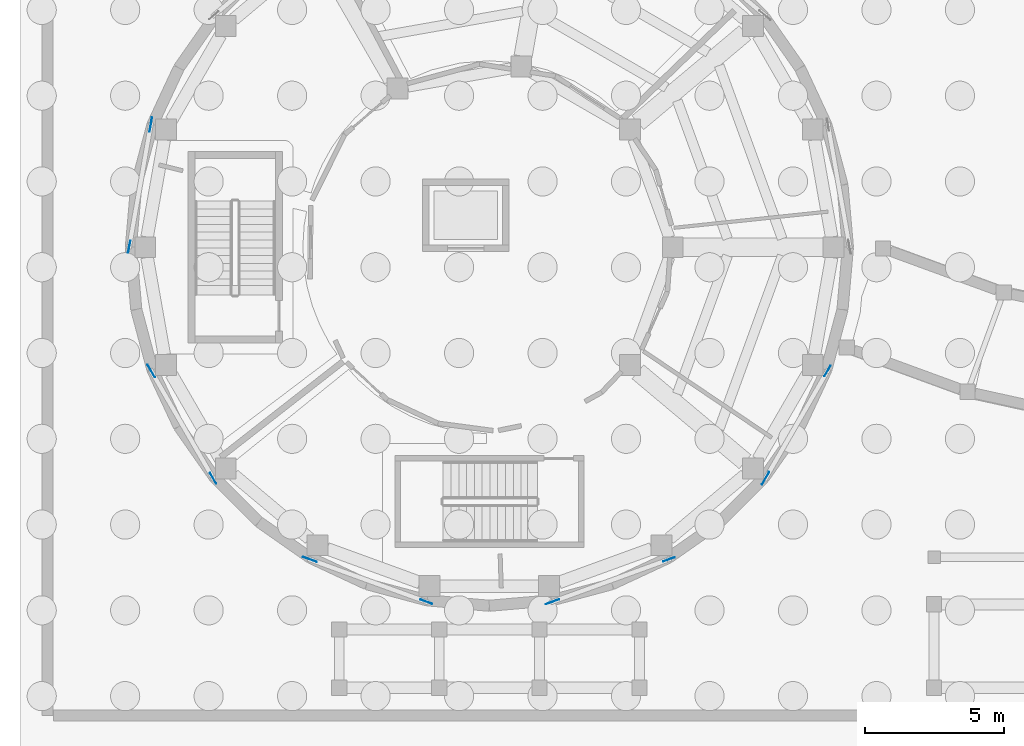
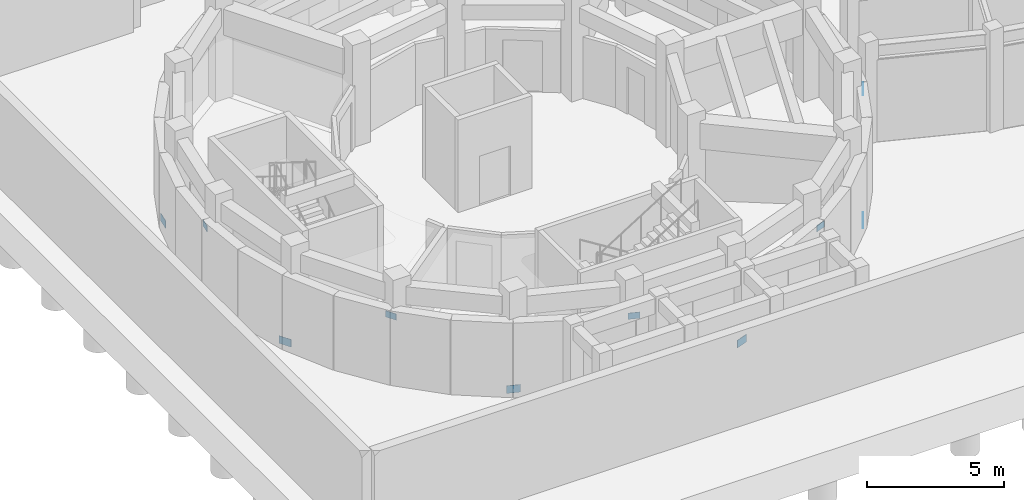
# One storey, part 23 of 57: 10 plates.
"""IFC4 building model written with IfcOpenShell, lengths in metres."""

import ifcopenshell
import ifcopenshell.guid

model = None  # the IFC model being written
_history = None  # IfcOwnerHistory: only IFC2X3 demands one
_inside = {}  # id of a spatial element -> (the spatial element, [elements in it])
_under = {}  # id of a project, library or spatial element -> (it, [spatial elements below it])
_declared = {}  # id of a project -> (the project, [libraries it declares])
_typed = {}  # id of a type object -> (the type object, [elements of that type])
_made_of = {}  # id of a material, layer set ... -> (it, [elements and type objects made of it])


def new_model(schema):
    """Start an empty IFC model of exactly this schema.

    Asked for "IFC4X3", IfcOpenShell would pick the latest addendum, in which some entities
    have other attributes; the version numbers below select the first issue.
    IFC2X3 requires an IfcOwnerHistory on every rooted entity: one is made here for all.
    """
    global model, _history
    if schema == "IFC4X3":
        model = ifcopenshell.file(schema_version=(4, 3, 0, 0))
    else:
        model = ifcopenshell.file(schema=schema)
    _inside.clear()
    _under.clear()
    _declared.clear()
    _typed.clear()
    _made_of.clear()
    _history = None
    if model.schema == "IFC2X3":
        org = make("IfcOrganization", Name="unknown")
        user = make(
            "IfcPersonAndOrganization",
            ThePerson=make("IfcPerson", FamilyName="unknown"),
            TheOrganization=org,
        )
        app = make(
            "IfcApplication",
            ApplicationDeveloper=org,
            Version="unknown",
            ApplicationFullName="unknown",
            ApplicationIdentifier="unknown",
        )
        _history = make(
            "IfcOwnerHistory",
            OwningUser=user,
            OwningApplication=app,
            ChangeAction="ADDED",
            CreationDate=0,
        )
    return model


def make(cls, **values):
    """One entity of the class cls with the attributes given. An attribute that is None is left unset."""
    return model.create_entity(
        cls, **{name: value for name, value in values.items() if value is not None}
    )


def rooted(cls, **values):
    """An entity with a GlobalId (a new one), such as an element, a storey or a relation."""
    return make(cls, GlobalId=ifcopenshell.guid.new(), OwnerHistory=_history, **values)


def si_unit(unit_type, name, prefix=None):
    """IfcSIUnit, for example si_unit("LENGTHUNIT", "METRE", prefix="MILLI")."""
    return make("IfcSIUnit", UnitType=unit_type, Prefix=prefix, Name=name)


def assignment(units):
    """IfcUnitAssignment: the units of a project."""
    return None if units is None else make("IfcUnitAssignment", Units=units)


def point(xyz):
    """IfcCartesianPoint."""
    return None if xyz is None else make("IfcCartesianPoint", Coordinates=xyz)


def direction(xyz):
    """IfcDirection."""
    return None if xyz is None else make("IfcDirection", DirectionRatios=xyz)


def frame(location, z_axis=None, x_axis=None):
    """IfcAxis2Placement3D, a coordinate frame: its origin and axes. An axis left out is left unset."""
    return make(
        "IfcAxis2Placement3D",
        Location=point(location),
        Axis=direction(z_axis),
        RefDirection=direction(x_axis),
    )


def frame_2d(location, x_axis=None):
    """IfcAxis2Placement2D, a coordinate frame in the plane: its origin and x axis."""
    return make(
        "IfcAxis2Placement2D", Location=point(location), RefDirection=direction(x_axis)
    )


def origin():
    """The frame at (0, 0, 0) with its axes left unset."""
    return frame((0.0, 0.0, 0.0))


def origin_2d():
    """The frame at (0, 0) in the plane with its x axis left unset."""
    return frame_2d((0.0, 0.0))


def place(relative_to, where):
    """IfcLocalPlacement: puts the frame where relative to a parent placement (None: the world)."""
    return make(
        "IfcLocalPlacement", PlacementRelTo=relative_to, RelativePlacement=where
    )


def context(
    kind, dimensions, precision=None, world=None, true_north=None, identifier=None
):
    """IfcGeometricRepresentationContext, for example the 3D "Model" context."""
    return make(
        "IfcGeometricRepresentationContext",
        ContextIdentifier=identifier,
        ContextType=kind,
        CoordinateSpaceDimension=dimensions,
        Precision=precision,
        WorldCoordinateSystem=world,
        TrueNorth=true_north,
    )


def subcontext(parent, identifier, kind, view, scale=None):
    """IfcGeometricRepresentationSubContext, for example "Body" below "Model"."""
    return make(
        "IfcGeometricRepresentationSubContext",
        ContextIdentifier=identifier,
        ContextType=kind,
        ParentContext=parent,
        TargetScale=scale,
        TargetView=view,
    )


def project(units=None, contexts=None):
    """IfcProject with its units and contexts."""
    return rooted(
        "IfcProject",
        Name="project",
        RepresentationContexts=contexts,
        UnitsInContext=assignment(units),
    )


def spatial(cls, under=None, at=None, **own):
    """A site, building, storey or space (cls), placed at a placement, below another one or the project."""
    s = rooted(cls, ObjectPlacement=at, **own)
    if under is not None:
        _under.setdefault(under.id(), (under, []))[1].append(s)
    return s


def profile(cls, at=None, kind="AREA", **sizes):
    """A parametric profile (cls). Its sizes go by their IFC names, for example OverallWidth=200.0."""
    return make(cls, ProfileType=kind, Position=at, **sizes)


def rectangle(**sizes):
    """IfcRectangleProfileDef."""
    return profile("IfcRectangleProfileDef", **sizes)


def extrude(swept, where, along, depth):
    """IfcExtrudedAreaSolid: the profile swept, set in the frame where, extruded along a direction by depth."""
    return make(
        "IfcExtrudedAreaSolid",
        SweptArea=swept,
        Position=where,
        ExtrudedDirection=direction(along),
        Depth=depth,
    )


def shape(context_of_items, identifier, shape_type, items):
    """IfcShapeRepresentation: the items that make up one representation, for example the "Body"."""
    return make(
        "IfcShapeRepresentation",
        ContextOfItems=context_of_items,
        RepresentationIdentifier=identifier,
        RepresentationType=shape_type,
        Items=items,
    )


def material(Name=None, Category=None):
    """IfcMaterial."""
    return make("IfcMaterial", Name=Name, Category=Category)


def layer(
    of_material, thickness, ventilated=None, Name=None, Category=None, Priority=None
):
    """IfcMaterialLayer: one layer of a wall or slab, of a material (None: an air gap)."""
    return make(
        "IfcMaterialLayer",
        Material=of_material,
        LayerThickness=thickness,
        IsVentilated=ventilated,
        Name=Name,
        Category=Category,
        Priority=Priority,
    )


def layer_set(layers, Name=None):
    """IfcMaterialLayerSet."""
    return make("IfcMaterialLayerSet", MaterialLayers=layers, LayerSetName=Name)


def made_of(thing, what):
    """Note that an element or type object is made of a material, layer set ...; save() writes the relation."""
    if what is not None:
        _made_of.setdefault(what.id(), (what, []))[1].append(thing)
    return thing


def type_object(cls, material=None, **own):
    """A type object (cls), such as IfcWallType, which elements share."""
    return made_of(rooted(cls, **own), material)


def element(
    cls,
    number,
    at=None,
    inside=None,
    cuts=None,
    type_object=None,
    material=None,
    context=None,
    identifier="Body",
    shape_type=None,
    held_by="IfcProductDefinitionShape",
    body=None,
    shapes=None,
    **own,
):
    """One element of the class cls, such as IfcWall. Its Tag is "e" and its number.

    at: its placement. inside: the storey or other place that contains it. cuts: it is an
    opening in that element (IfcRelVoidsElement). A single representation is given by context,
    identifier, shape_type and body (its items); several are given by shapes. held_by: the class
    of the entity that holds the representations. save() writes the other relations.
    """
    e = rooted(cls, Tag="e%d" % number, ObjectPlacement=at, **own)
    if body is not None:
        shapes = [shape(context, identifier, shape_type, body)]
    if shapes is not None:
        e.Representation = make(held_by, Representations=shapes)
    if inside is not None:
        _inside.setdefault(inside.id(), (inside, []))[1].append(e)
    if cuts is not None:
        rooted(
            "IfcRelVoidsElement", RelatingBuildingElement=cuts, RelatedOpeningElement=e
        )
    if type_object is not None:
        _typed.setdefault(type_object.id(), (type_object, []))[1].append(e)
    return made_of(e, material)


def aggregate(whole, parts):
    """IfcRelAggregates: a whole, such as a stair, and the parts it consists of."""
    return rooted("IfcRelAggregates", RelatingObject=whole, RelatedObjects=parts)


def save(model, path):
    """Write the relations noted so far, then the file.

    IfcRelAggregates (storeys below a building ...), IfcRelContainedInSpatialStructure (elements
    in a storey), IfcRelDefinesByType, IfcRelAssociatesMaterial and IfcRelDeclares: one each for
    every whole, place, type object, material and project.
    """
    for whole, parts in _under.values():
        aggregate(whole, parts)
    for where, things in _inside.values():
        rooted(
            "IfcRelContainedInSpatialStructure",
            RelatedElements=things,
            RelatingStructure=where,
        )
    for kind, things in _typed.values():
        rooted("IfcRelDefinesByType", RelatedObjects=things, RelatingType=kind)
    for what, things in _made_of.values():
        rooted("IfcRelAssociatesMaterial", RelatedObjects=things, RelatingMaterial=what)
    for by, libraries in _declared.values():
        rooted("IfcRelDeclares", RelatingContext=by, RelatedDefinitions=libraries)
    model.write(path)


model = new_model("IFC4")

# Units and contexts
model_context = context("Model", 3, precision=1e-05, world=origin(), true_north=direction((0.0, 1.0)))
body_context = subcontext(model_context, "Body", "Model", "MODEL_VIEW")
ifc_project = project(units=[si_unit("LENGTHUNIT", "METRE"), si_unit("AREAUNIT", "SQUARE_METRE"), si_unit("VOLUMEUNIT", "CUBIC_METRE"), si_unit("PLANEANGLEUNIT", "RADIAN"), si_unit("MASSUNIT", "GRAM", prefix="KILO")], contexts=[model_context])

# Site, building, storey
site_placement = place(None, origin())
site = spatial("IfcSite", under=ifc_project, at=site_placement, CompositionType="ELEMENT")
building_placement = place(site_placement, origin())
building = spatial("IfcBuilding", under=site, at=building_placement, Name="Aldenvaro Health Centre", CompositionType="ELEMENT")
storey_placement = place(building_placement, frame((0.0, 0.0, -4.550048828125)))
storey = spatial("IfcBuildingStorey", under=building, at=storey_placement, Name="B1", CompositionType="ELEMENT", Elevation=-4.550048828125)

# Plates
ifc_material = material(Name="Steel ASTM A572 Grade 50", Category="steel")
ifc_layer_1 = layer(ifc_material, 0.01806640625, Name="Steel ASTM A572 Grade 50", Category="steel")
ifc_layer_set_1 = layer_set([ifc_layer_1], Name="Steel ASTM A572 Grade 50")
plate_type_1 = type_object("IfcPlateType", Name="PLT-GUS-02", PredefinedType="SHEET", material=ifc_layer_set_1)
for number, where, z_axis, x_axis, name in (
    (1, (6.319091796875, 22.9130859375, 0.1298828125), (0.0, 0.0, 1.0), (-0.173957555573, -0.984753151231, 0.0), "D5 B1 brace end gusset 9.B"),
    (2, (6.33203125, 14.050048828125, 0.1298828125), (0.0, 0.0, 1.0), (0.499848842438, -0.866112657056, 0.0), "D5 B1 brace end gusset 11.B"),
    (3, (12.0390625, 7.26904296875, 0.1298828125), (0.0, 0.0, 1.0), (0.939746333591, -0.341872532535, 0.0), "D5 B1 brace end gusset 13.B"),
    (4, (20.76904296875, 5.743896484375, 0.1298828125), (0.0, 0.0, 1.0), (0.939746333591, 0.341872532535, 0.0), "D5 B1 brace end gusset 15.B"),
    (5, (28.43798828125, 10.18603515625, 0.1298828125), (0.0, 0.0, 1.0), (0.499848842438, 0.866112657056, 0.0), "D5 B1 brace end gusset 17.B"),
):
    element("IfcPlate", number, at=place(storey_placement, frame(where, z_axis=z_axis, x_axis=x_axis)), inside=storey, type_object=plate_type_1, Name=name, PredefinedType="SHEET", context=body_context, shape_type="SweptSolid", body=[
        extrude(rectangle(XDim=0.52001953125, YDim=0.01806640625, at=origin_2d()), origin(), (0.0, 0.0, 1.0), 0.340087890625),
    ])
ifc_layer_2 = layer(ifc_material, 0.01611328125, Name="Steel ASTM A572 Grade 50", Category="steel")
ifc_layer_set_2 = layer_set([ifc_layer_2], Name="Steel ASTM A572 Grade 50")
plate_type_2 = type_object("IfcPlateType", Name="PLT-GUS-03", PredefinedType="SHEET", material=ifc_layer_set_2)
for number, where, z_axis, x_axis, name in (
    (6, (5.54296875, 18.52001953125, 2.8779296875), (0.0, 0.0, 1.0), (-0.173957555573, -0.984753151231, 0.0), "D5 B1 brace end gusset 9.T"),
    (7, (8.56201171875, 10.18603515625, 2.8779296875), (0.0, 0.0, 1.0), (0.499848842438, -0.866112657056, 0.0), "D5 B1 brace end gusset 11.T"),
    (8, (16.23095703125, 5.743896484375, 2.8779296875), (0.0, 0.0, 1.0), (0.939746333591, -0.341872532535, 0.0), "D5 B1 brace end gusset 13.T"),
    (9, (24.9609375, 7.26904296875, 2.8779296875), (0.0, 0.0, 1.0), (0.939746333591, 0.341872532535, 0.0), "D5 B1 brace end gusset 15.T"),
    (10, (30.66796875, 14.050048828125, 2.8779296875), (0.0, 0.0, 1.0), (0.499848842438, 0.866112657056, 0.0), "D5 B1 brace end gusset 17.T"),
):
    element("IfcPlate", number, at=place(storey_placement, frame(where, z_axis=z_axis, x_axis=x_axis)), inside=storey, type_object=plate_type_2, Name=name, PredefinedType="SHEET", context=body_context, shape_type="SweptSolid", body=[
        extrude(rectangle(XDim=0.43994140625, YDim=0.01611328125, at=origin_2d()), origin(), (0.0, 0.0, 1.0), 0.280029296875),
    ])

save(model, "model.ifc")
